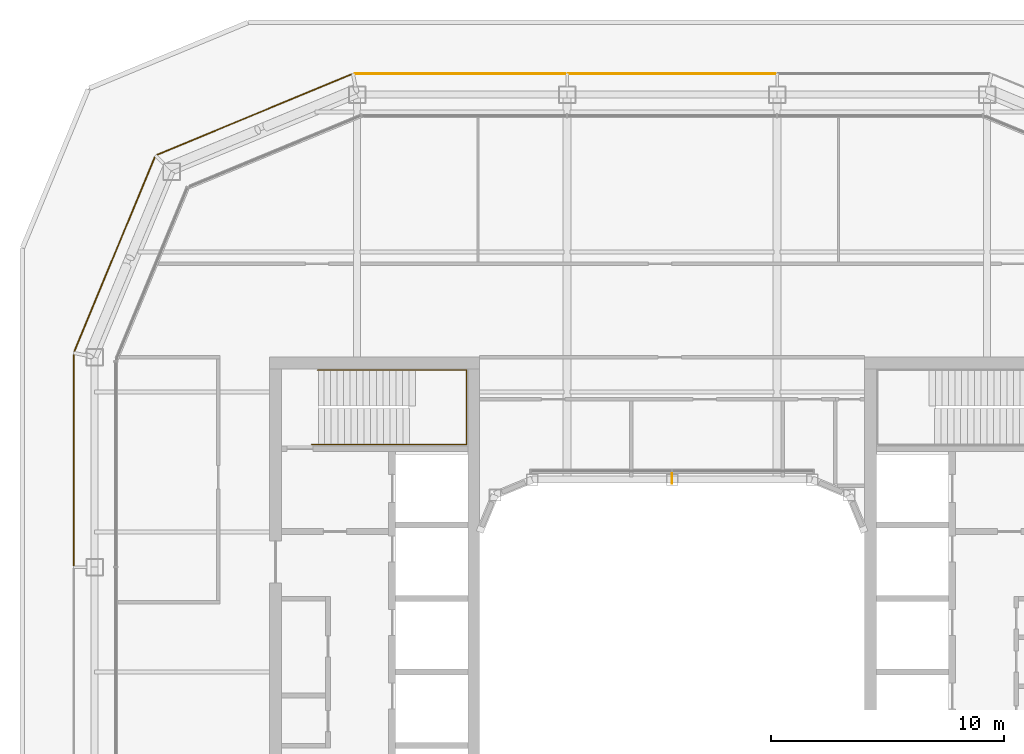
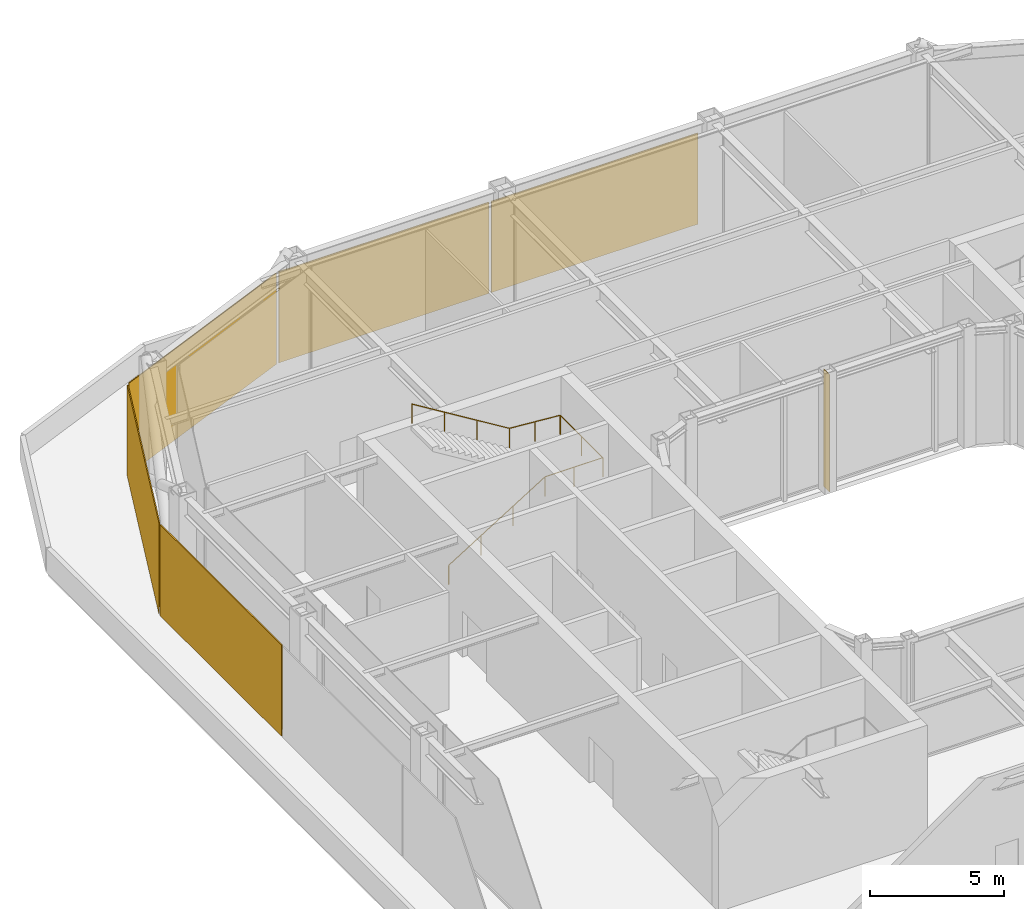
# One storey, part 16 of 17: 5 coverings, 1 railing, 1 shading device.
"""IFC4 building model written with IfcOpenShell, lengths in metres."""

from ifc_helpers import new_model, si_unit, direction, frame, origin, origin_2d, place, context, subcontext, project, spatial, rectangle, circle, extrude, material, layer, layer_set, type_object, element, save


model = new_model("IFC4")

# Units and contexts
model_context = context("Model", 3, precision=1e-05, world=origin(), true_north=direction((0.0, 1.0)))
body_context = subcontext(model_context, "Body", "Model", "MODEL_VIEW")
ifc_project = project(units=[si_unit("LENGTHUNIT", "METRE"), si_unit("AREAUNIT", "SQUARE_METRE"), si_unit("VOLUMEUNIT", "CUBIC_METRE"), si_unit("PLANEANGLEUNIT", "RADIAN"), si_unit("MASSUNIT", "GRAM", prefix="KILO")], contexts=[model_context])

# Site, building, storey
site_placement = place(None, origin())
site = spatial("IfcSite", under=ifc_project, at=site_placement, CompositionType="ELEMENT")
building_placement = place(site_placement, origin())
building = spatial("IfcBuilding", under=site, at=building_placement, Name="Siwar Civic Tower", CompositionType="ELEMENT")
storey_placement = place(building_placement, frame((0.0, 0.0, 284.199951171875)))
storey = spatial("IfcBuildingStorey", under=building, at=storey_placement, Name="L61", CompositionType="ELEMENT", Elevation=284.199951171875)

# Railing
ifc_material_1 = material(Name="Stainless steel", Category="steel")
railing_type = type_object("IfcRailingType", Name="CORE-STAIR-HANDRAIL", PredefinedType="HANDRAIL", material=ifc_material_1)
railing_placement = place(storey_placement, frame((-15.449951171875, 9.758056640625, 0.171875)))
element("IfcRailing", 1, at=railing_placement, inside=storey, type_object=railing_type, Name="Stair handrail ST1", PredefinedType="HANDRAIL", context=body_context, shape_type="SweptSolid", body=[
    extrude(circle(Radius=0.02001953125, at=origin_2d()), frame((0.0, 0.0, 0.8798828125), z_axis=(0.849426996612, 0.0, 0.527706146854), x_axis=(0.0, 1.0, 0.0)), (0.0, 0.0, 1.0), 4.885498046875),
    extrude(circle(Radius=0.02001953125, at=origin_2d()), frame((4.14990234375, 0.0, 3.4580078125), z_axis=(1.0, 0.0, 0.0), x_axis=(0.0, 1.0, 0.0)), (0.0, 0.0, 1.0), 2.491943359375),
    extrude(circle(Radius=0.02001953125, at=origin_2d()), frame((6.641845703125, 0.0, 3.4580078125), z_axis=(0.0, 1.0, 0.0), x_axis=(-1.0, 0.0, 0.0)), (0.0, 0.0, 1.0), 3.183837890625),
    extrude(circle(Radius=0.02001953125, at=origin_2d()), frame((6.641845703125, 3.183837890625, 3.4580078125), z_axis=(-0.996939735461, 0.0, 0.078173933367), x_axis=(0.0, -1.0, 0.0)), (0.0, 0.0, 1.0), 2.19873046875),
    extrude(circle(Radius=0.02001953125, at=origin_2d()), frame((4.449951171875, 3.183837890625, 3.6298828125), z_axis=(-0.852242915053, 0.0, 0.523146264196), x_axis=(0.0, -1.0, 0.0)), (0.0, 0.0, 1.0), 4.92822265625),
    extrude(circle(Radius=0.02001953125, at=origin_2d()), origin(), (0.0, 0.0, 1.0), 0.85986328125),
    extrude(circle(Radius=0.02001953125, at=origin_2d()), frame((1.38330078125, 0.0, 0.859375)), (0.0, 0.0, 1.0), 0.85986328125),
    extrude(circle(Radius=0.02001953125, at=origin_2d()), frame((2.7666015625, 0.0, 1.71875)), (0.0, 0.0, 1.0), 0.85986328125),
    extrude(circle(Radius=0.02001953125, at=origin_2d()), frame((4.14990234375, 0.0, 2.578125)), (0.0, 0.0, 1.0), 0.85986328125),
    extrude(circle(Radius=0.02001953125, at=origin_2d()), frame((5.39599609375, 0.0, 2.578125)), (0.0, 0.0, 1.0), 0.85986328125),
    extrude(circle(Radius=0.02001953125, at=origin_2d()), frame((6.641845703125, 0.0, 2.578125)), (0.0, 0.0, 1.0), 0.85986328125),
    extrude(circle(Radius=0.02001953125, at=origin_2d()), frame((6.641845703125, 1.591796875, 2.578125)), (0.0, 0.0, 1.0), 0.85986328125),
    extrude(circle(Radius=0.02001953125, at=origin_2d()), frame((6.641845703125, 3.183837890625, 2.578125)), (0.0, 0.0, 1.0), 0.85986328125),
    extrude(circle(Radius=0.02001953125, at=origin_2d()), frame((5.5458984375, 3.183837890625, 2.6640625)), (0.0, 0.0, 1.0), 0.85986328125),
    extrude(circle(Radius=0.02001953125, at=origin_2d()), frame((4.449951171875, 3.183837890625, 2.75)), (0.0, 0.0, 1.0), 0.85986328125),
    extrude(circle(Radius=0.02001953125, at=origin_2d()), frame((3.050048828125, 3.183837890625, 3.609375)), (0.0, 0.0, 1.0), 0.85986328125),
    extrude(circle(Radius=0.02001953125, at=origin_2d()), frame((1.64990234375, 3.183837890625, 4.46875)), (0.0, 0.0, 1.0), 0.85986328125),
    extrude(circle(Radius=0.02001953125, at=origin_2d()), frame((0.25, 3.183837890625, 5.328125)), (0.0, 0.0, 1.0), 0.85986328125),
])

# Shading device
ifc_material_2 = material(Name="Aluminium 6063-T6", Category="aluminium")
ifc_layer_1 = layer(ifc_material_2, 0.02001953125)
ifc_layer_set_1 = layer_set([ifc_layer_1], Name="Aluminium 6063-T6")
shading_device_type = type_object("IfcShadingDeviceType", Name="ENV-FIN", PredefinedType="JALOUSIE", material=ifc_layer_set_1)
shading_device_placement = place(storey_placement, frame((0.0, 8.294921875, 0.0), z_axis=(0.0, 0.0, 1.0), x_axis=(-1.0, 0.0, 0.0)))
element("IfcShadingDevice", 2, at=shading_device_placement, inside=storey, type_object=shading_device_type, Name="SUNSHADE fin WN 1", PredefinedType="JALOUSIE", context=body_context, shape_type="SweptSolid", body=[
    extrude(rectangle(XDim=0.02001953125, YDim=0.449951171875, at=origin_2d()), origin(), (0.0, 0.0, 1.0), 5.35009765625),
])

# Coverings
ifc_material_3 = material(Name="Perforated aluminium cassette, pale metal", Category="aluminium")
ifc_layer_2 = layer(ifc_material_3, 0.0400390625)
ifc_layer_set_2 = layer_set([ifc_layer_2], Name="Perforated aluminium cassette, pale metal")
covering_type_1 = type_object("IfcCoveringType", Name="ENV-OUTER SKIN OS-1", PredefinedType="CLADDING", material=ifc_layer_set_2)
covering_1_placement = place(storey_placement, frame((0.0, 25.64990234375, 0.0), z_axis=(0.0, 0.0, 1.0), x_axis=(-1.0, 0.0, 0.0)))
element("IfcCovering", 3, at=covering_1_placement, inside=storey, type_object=covering_type_1, Name="OUTER SKIN OS-1 N 2", PredefinedType="CLADDING", context=body_context, shape_type="SweptSolid", body=[
    extrude(rectangle(XDim=8.89990234375, YDim=0.0400390625, at=origin_2d()), origin(), (0.0, 0.0, 1.0), 4.14990234375),
])
covering_2_placement = place(storey_placement, frame((-9.07958984375, 25.64990234375, 0.0), z_axis=(0.0, 0.0, 1.0), x_axis=(-1.0, 0.0, 0.0)))
element("IfcCovering", 4, at=covering_2_placement, inside=storey, type_object=covering_type_1, Name="OUTER SKIN OS-1 N 3", PredefinedType="CLADDING", context=body_context, shape_type="SweptSolid", body=[
    extrude(rectangle(XDim=9.05908203125, YDim=0.0400390625, at=origin_2d()), origin(), (0.0, 0.0, 1.0), 4.14990234375),
])
covering_3_placement = place(storey_placement, frame((-17.911376953125, 23.89697265625, 0.0), z_axis=(0.0, 0.0, 1.0), x_axis=(-0.923879532511, -0.382683432365, 0.0)))
element("IfcCovering", 5, at=covering_3_placement, inside=storey, type_object=covering_type_1, Name="OUTER SKIN OS-1 NW1 1", PredefinedType="CLADDING", context=body_context, shape_type="SweptSolid", body=[
    extrude(rectangle(XDim=9.022216796875, YDim=0.0400390625, at=origin_2d()), origin(), (0.0, 0.0, 1.0), 4.14990234375),
])
ifc_material_4 = material(Name="Perforated aluminium cassette, pale metal", Category="aluminium")
ifc_layer_3 = layer(ifc_material_4, 0.044921875)
ifc_layer_set_3 = layer_set([ifc_layer_3], Name="Perforated aluminium cassette, pale metal")
covering_type_2 = type_object("IfcCoveringType", Name="ENV-OUTER SKIN OS-2", PredefinedType="CLADDING", material=ifc_layer_set_3)
covering_4_placement = place(storey_placement, frame((-23.89697265625, 17.911376953125, 0.0), z_axis=(0.0, 0.0, 1.0), x_axis=(-0.382683432365, -0.923879532511, 0.0)))
element("IfcCovering", 6, at=covering_4_placement, inside=storey, type_object=covering_type_2, Name="OUTER SKIN OS-2 NW2 1", PredefinedType="CLADDING", context=body_context, shape_type="SweptSolid", body=[
    extrude(rectangle(XDim=9.022216796875, YDim=0.044921875, at=origin_2d()), origin(), (0.0, 0.0, 1.0), 4.14990234375),
])
ifc_material_5 = material(Name="Perforated aluminium cassette, pale metal", Category="aluminium")
ifc_layer_4 = layer(ifc_material_5, 0.050048828125)
ifc_layer_set_4 = layer_set([ifc_layer_4], Name="Perforated aluminium cassette, pale metal")
covering_type_3 = type_object("IfcCoveringType", Name="ENV-OUTER SKIN OS-3", PredefinedType="CLADDING", material=ifc_layer_set_4)
covering_5_placement = place(storey_placement, frame((-25.64990234375, 9.07958984375, 0.0), z_axis=(0.0, 0.0, 1.0), x_axis=(0.0, -1.0, 0.0)))
element("IfcCovering", 7, at=covering_5_placement, inside=storey, type_object=covering_type_3, Name="OUTER SKIN OS-3 W 1", PredefinedType="CLADDING", context=body_context, shape_type="SweptSolid", body=[
    extrude(rectangle(XDim=9.05908203125, YDim=0.050048828125, at=origin_2d()), origin(), (0.0, 0.0, 1.0), 4.14990234375),
])

save(model, "model.ifc")
